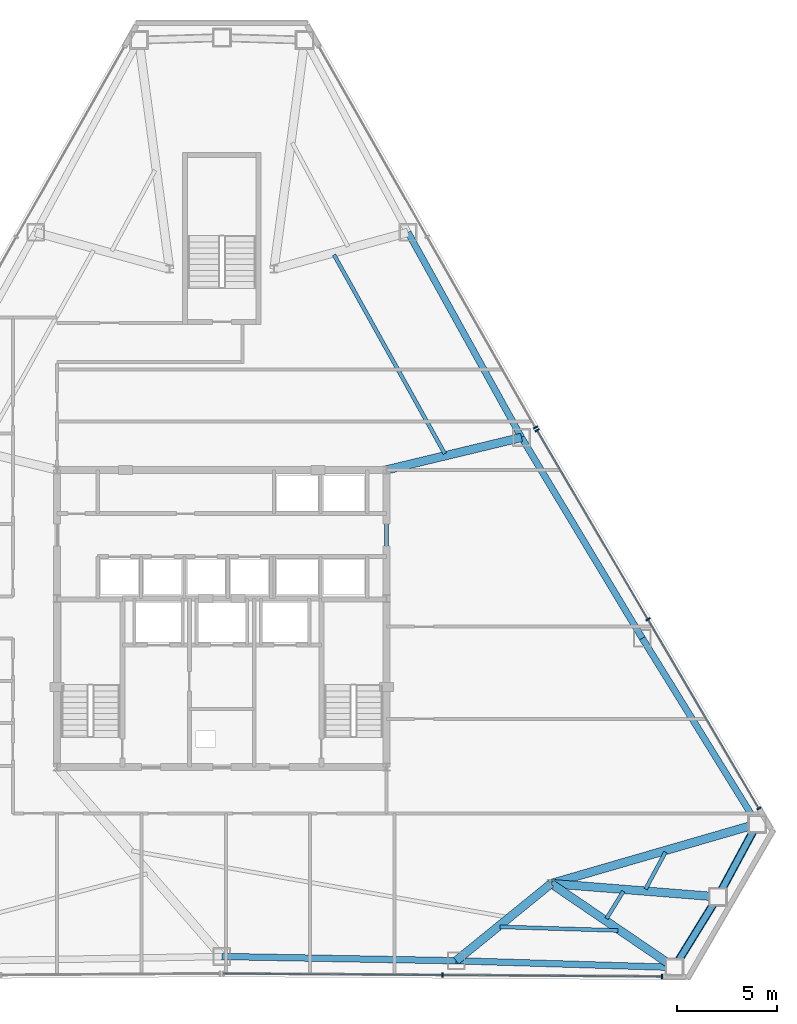
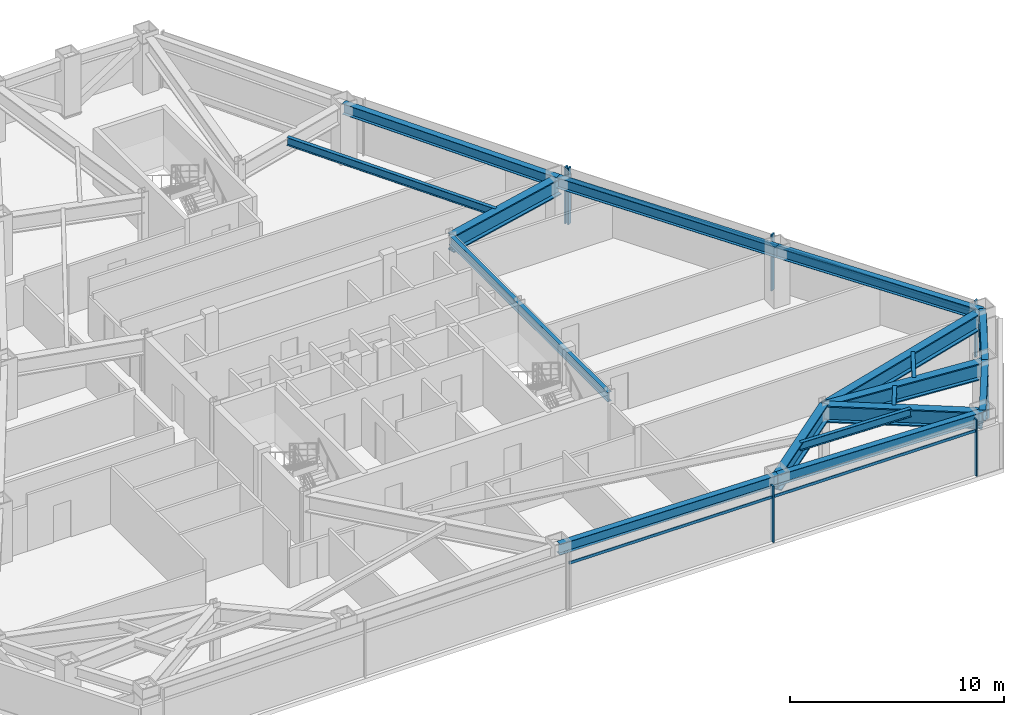
# One storey, part 6 of 12: 17 beams, 10 members, 3 elements without a shape of their own.
"""IFC4 building model written with IfcOpenShell, lengths in metres."""

from ifc_helpers import new_model, si_unit, direction, frame, origin, origin_2d, place, context, subcontext, project, spatial, rectangle, hollow_rectangle, i_section, extrude, source, transform, mapped, material, layer, layer_set, material_profile, profile_set, type_object, type_shapes, element, aggregate, save


model = new_model("IFC4")

# Units and contexts
model_context = context("Model", 3, precision=1e-05, world=origin(), true_north=direction((0.0, 1.0)))
body_context = subcontext(model_context, "Body", "Model", "MODEL_VIEW")
ifc_project = project(units=[si_unit("LENGTHUNIT", "METRE"), si_unit("AREAUNIT", "SQUARE_METRE"), si_unit("VOLUMEUNIT", "CUBIC_METRE"), si_unit("PLANEANGLEUNIT", "RADIAN"), si_unit("MASSUNIT", "GRAM", prefix="KILO")], contexts=[model_context])

# Site, building, storey
site_placement = place(None, origin())
site = spatial("IfcSite", under=ifc_project, at=site_placement, CompositionType="ELEMENT")
building_placement = place(site_placement, origin())
building = spatial("IfcBuilding", under=site, at=building_placement, Name="Varakhsha Concourse Tower", CompositionType="ELEMENT")
storey_placement = place(building_placement, frame((0.0, 0.0, 129.800048828125)))
storey = spatial("IfcBuildingStorey", under=building, at=storey_placement, Name="L37", CompositionType="ELEMENT", Elevation=129.800048828125)

# Beams
ifc_material_1 = material(Name="Structural Steel ASTM A992 Grade 50", Category="steel")
ifc_material_profile_1 = material_profile(ifc_material_1, i_section(OverallWidth=0.19091796875, OverallDepth=0.45703125, WebThickness=0.009033203125, FlangeThickness=0.013916015625, at=origin_2d()), Name="W18X50")
ifc_profile_set_1 = profile_set([ifc_material_profile_1], Name="Structural Steel ASTM A992 Grade 50")
beam_type_1 = type_object("IfcBeamType", Name="BM-JST-W18X50", PredefinedType="JOIST", material=ifc_profile_set_1)
beam_1_placement = place(storey_placement, frame((53.86083984375, 8.44580078125, 2.9814453125), z_axis=(0.999532008053, -0.03059027423, 0.0), x_axis=(0.03059027423, 0.999532008053, 0.0)))
element("IfcBeam", 1, at=beam_1_placement, inside=storey, type_object=beam_type_1, Name="BM-TJST-L37-12", PredefinedType="JOIST", context=body_context, shape_type="SweptSolid", body=[
    extrude(i_section(OverallWidth=0.19091796875, OverallDepth=0.45703125, WebThickness=0.009033203125, FlangeThickness=0.013916015625, at=origin_2d()), origin(), (0.0, 0.0, 1.0), 5.865966796875),
])
beam_2_placement = place(storey_placement, frame((59.156005859375, 8.857421875, 2.9814453125), z_axis=(0.525274673375, 0.850932733834, 0.0), x_axis=(-0.850932733834, 0.525274673375, 0.0)))
element("IfcBeam", 2, at=beam_2_placement, inside=storey, type_object=beam_type_1, Name="BM-TJST-L37-13", PredefinedType="JOIST", context=body_context, shape_type="SweptSolid", body=[
    extrude(i_section(OverallWidth=0.19091796875, OverallDepth=0.45703125, WebThickness=0.009033203125, FlangeThickness=0.013916015625, at=origin_2d()), origin(), (0.0, 0.0, 1.0), 1.59619140625),
])
beam_3_placement = place(storey_placement, frame((61.100341796875, 10.326904296875, 2.9814453125), z_axis=(0.474273837801, 0.880377377479, 0.0), x_axis=(-0.880377377479, 0.474273837801, 0.0)))
element("IfcBeam", 3, at=beam_3_placement, inside=storey, type_object=beam_type_1, Name="BM-TJST-L37-14", PredefinedType="JOIST", context=body_context, shape_type="SweptSolid", body=[
    extrude(i_section(OverallWidth=0.19091796875, OverallDepth=0.45703125, WebThickness=0.009033203125, FlangeThickness=0.013916015625, at=origin_2d()), origin(), (0.0, 0.0, 1.0), 2.091552734375),
])
beam_4_placement = place(storey_placement, frame((51.10400390625, 32.006591796875, 2.9814453125), z_axis=(-0.4866796138, 0.873580536363, 0.0), x_axis=(-0.873580536363, -0.4866796138, 0.0)))
element("IfcBeam", 4, at=beam_4_placement, inside=storey, type_object=beam_type_1, Name="BM-TJST-L37-17", PredefinedType="JOIST", context=body_context, shape_type="SweptSolid", body=[
    extrude(i_section(OverallWidth=0.19091796875, OverallDepth=0.45703125, WebThickness=0.009033203125, FlangeThickness=0.013916015625, at=origin_2d()), origin(), (0.0, 0.0, 1.0), 11.333740234375),
])
ifc_material_profile_2 = material_profile(ifc_material_1, i_section(OverallWidth=0.423095703125, OverallDepth=0.947998046875, WebThickness=0.0380859375, FlangeThickness=0.06396484375, at=origin_2d()), Name="W36X302")
ifc_profile_set_2 = profile_set([ifc_material_profile_2], Name="Structural Steel ASTM A992 Grade 50")
beam_type_2 = type_object("IfcBeamType", Name="BM-OUTR-W36X302", PredefinedType="USERDEFINED", material=ifc_profile_set_2)
beam_5_placement = place(storey_placement, frame((56.39990234375, 10.60009765625, 2.73583984375), z_axis=(-0.776310048097, -0.630351258604, 0.0), x_axis=(0.630351258604, -0.776310048097, 0.0)))
element("IfcBeam", 5, at=beam_5_placement, inside=storey, type_object=beam_type_2, Name="L37 Radial Floor Girder 12", ObjectType="GIRDER", PredefinedType="USERDEFINED", context=body_context, shape_type="SweptSolid", body=[
    extrude(i_section(OverallWidth=0.423095703125, OverallDepth=0.947998046875, WebThickness=0.0380859375, FlangeThickness=0.06396484375, at=origin_2d()), origin(), (0.0, 0.0, 1.0), 6.093505859375),
])
beam_6_placement = place(storey_placement, frame((56.39990234375, 10.60009765625, 2.73583984375), z_axis=(0.826715856681, -0.562619669325, 0.0), x_axis=(0.562619669325, 0.826715856681, 0.0)))
element("IfcBeam", 6, at=beam_6_placement, inside=storey, type_object=beam_type_2, Name="L37 Radial Floor Girder 13", ObjectType="GIRDER", PredefinedType="USERDEFINED", context=body_context, shape_type="SweptSolid", body=[
    extrude(i_section(OverallWidth=0.423095703125, OverallDepth=0.947998046875, WebThickness=0.0380859375, FlangeThickness=0.06396484375, at=origin_2d()), origin(), (0.0, 0.0, 1.0), 7.417724609375),
])
beam_7_placement = place(storey_placement, frame((56.39990234375, 10.60009765625, 2.73583984375), z_axis=(0.996845319741, -0.079368813216, 0.0), x_axis=(0.079368813216, 0.996845319741, 0.0)))
element("IfcBeam", 7, at=beam_7_placement, inside=storey, type_object=beam_type_2, Name="L37 Radial Floor Girder 14", ObjectType="GIRDER", PredefinedType="USERDEFINED", context=body_context, shape_type="SweptSolid", body=[
    extrude(i_section(OverallWidth=0.423095703125, OverallDepth=0.947998046875, WebThickness=0.0380859375, FlangeThickness=0.06396484375, at=origin_2d()), origin(), (0.0, 0.0, 1.0), 8.326904296875),
])
beam_8_placement = place(storey_placement, frame((56.39990234375, 10.60009765625, 2.73583984375), z_axis=(0.960479386688, 0.27835112313, 0.0), x_axis=(-0.27835112313, 0.960479386688, 0.0)))
element("IfcBeam", 8, at=beam_8_placement, inside=storey, type_object=beam_type_2, Name="L37 Radial Floor Girder 15", ObjectType="GIRDER", PredefinedType="USERDEFINED", context=body_context, shape_type="SweptSolid", body=[
    extrude(i_section(OverallWidth=0.423095703125, OverallDepth=0.947998046875, WebThickness=0.0380859375, FlangeThickness=0.06396484375, at=origin_2d()), origin(), (0.0, 0.0, 1.0), 10.680419921875),
])
beam_9_placement = place(storey_placement, frame((48.199951171875, 31.199951171875, 2.73583984375), z_axis=(0.972326679088, 0.233625403442, 0.0), x_axis=(-0.233625403442, 0.972326679088, 0.0)))
element("IfcBeam", 9, at=beam_9_placement, inside=storey, type_object=beam_type_2, Name="L37 Radial Floor Girder 17", ObjectType="GIRDER", PredefinedType="USERDEFINED", context=body_context, shape_type="SweptSolid", body=[
    extrude(i_section(OverallWidth=0.423095703125, OverallDepth=0.947998046875, WebThickness=0.0380859375, FlangeThickness=0.06396484375, at=origin_2d()), origin(), (0.0, 0.0, 1.0), 6.912841796875),
])
ifc_material_profile_3 = material_profile(ifc_material_1, i_section(OverallWidth=0.2109375, OverallDepth=0.5390625, WebThickness=0.011962890625, FlangeThickness=0.01904296875, at=origin_2d()), Name="W21X73")
ifc_profile_set_3 = profile_set([ifc_material_profile_3], Name="Structural Steel ASTM A992 Grade 50")
beam_type_3 = type_object("IfcBeamType", Name="BM-RAD-W21X73", PredefinedType="BEAM", material=ifc_profile_set_3)
beam_10_placement = place(storey_placement, frame((48.199951171875, 16.39990234375, 2.9404296875), z_axis=(0.0, 1.0, 0.0), x_axis=(-1.0, 0.0, 0.0)))
element("IfcBeam", 10, at=beam_10_placement, inside=storey, type_object=beam_type_3, Name="BM-TCORE-L37-CE", PredefinedType="BEAM", context=body_context, shape_type="SweptSolid", body=[
    extrude(i_section(OverallWidth=0.2109375, OverallDepth=0.5390625, WebThickness=0.011962890625, FlangeThickness=0.01904296875, at=origin_2d()), origin(), (0.0, 0.0, 1.0), 14.800048828125),
])
ifc_material_profile_4 = material_profile(ifc_material_1, i_section(OverallWidth=0.323974609375, OverallDepth=0.611083984375, WebThickness=0.012939453125, FlangeThickness=0.01904296875, at=origin_2d()), Name="W24X104")
ifc_profile_set_4 = profile_set([ifc_material_profile_4], Name="Structural Steel ASTM A992 Grade 50")
beam_type_4 = type_object("IfcBeamType", Name="BM-SPAN-W24X104", PredefinedType="SPANDREL", material=ifc_profile_set_4)
beam_11_placement = place(storey_placement, frame((40.0, 6.97021484375, 2.904541015625), z_axis=(0.99983628966, -0.018094028841, 0.0), x_axis=(0.018094028841, 0.99983628966, 0.0)))
element("IfcBeam", 11, at=beam_11_placement, inside=storey, type_object=beam_type_4, Name="BM-SPAN-L37-11", PredefinedType="SPANDREL", context=body_context, shape_type="SweptSolid", body=[
    extrude(i_section(OverallWidth=0.323974609375, OverallDepth=0.611083984375, WebThickness=0.012939453125, FlangeThickness=0.01904296875, at=origin_2d()), origin(), (0.0, 0.0, 1.0), 11.67138671875),
])
beam_12_placement = place(storey_placement, frame((51.66943359375, 6.759033203125, 2.904541015625), z_axis=(0.999532503113, -0.030574093962, 0.0), x_axis=(0.030574093962, 0.999532503113, 0.0)))
element("IfcBeam", 12, at=beam_12_placement, inside=storey, type_object=beam_type_4, Name="BM-SPAN-L37-12", PredefinedType="SPANDREL", context=body_context, shape_type="SweptSolid", body=[
    extrude(i_section(OverallWidth=0.323974609375, OverallDepth=0.611083984375, WebThickness=0.012939453125, FlangeThickness=0.01904296875, at=origin_2d()), origin(), (0.0, 0.0, 1.0), 10.867919921875),
])
for number, where, z_axis, x_axis, name in (
    (13, (62.5322265625, 6.4267578125, 2.904541015625), (0.525275019808, 0.850932519984, 0.0), (-0.850932519984, 0.525275019808, 0.0), "BM-SPAN-L37-13"),
    (14, (64.700439453125, 9.939208984375, 2.904541015625), (0.474307913121, 0.880359019691, 0.0), (-0.880359019691, 0.474307913121, 0.0), "BM-SPAN-L37-14"),
):
    element("IfcBeam", number, at=place(storey_placement, frame(where, z_axis=z_axis, x_axis=x_axis)), inside=storey, type_object=beam_type_4, Name=name, PredefinedType="SPANDREL", context=body_context, shape_type="SweptSolid", body=[
        extrude(i_section(OverallWidth=0.323974609375, OverallDepth=0.611083984375, WebThickness=0.012939453125, FlangeThickness=0.01904296875, at=origin_2d()), origin(), (0.0, 0.0, 1.0), 4.127685546875),
    ])
beam_13_placement = place(storey_placement, frame((66.658203125, 13.572998046875, 2.904541015625), z_axis=(-0.526244020502, 0.850333599763, 0.0), x_axis=(-0.850333599763, -0.526244020502, 0.0)))
element("IfcBeam", 15, at=beam_13_placement, inside=storey, type_object=beam_type_4, Name="BM-SPAN-L37-15", PredefinedType="SPANDREL", context=body_context, shape_type="SweptSolid", body=[
    extrude(i_section(OverallWidth=0.323974609375, OverallDepth=0.611083984375, WebThickness=0.012939453125, FlangeThickness=0.01904296875, at=origin_2d()), origin(), (0.0, 0.0, 1.0), 10.867919921875),
])
beam_14_placement = place(storey_placement, frame((60.93896484375, 22.814453125, 2.904541015625), z_axis=(-0.515584301613, 0.856838857622, 0.0), x_axis=(-0.856838857622, -0.515584301613, 0.0)))
element("IfcBeam", 16, at=beam_14_placement, inside=storey, type_object=beam_type_4, Name="BM-SPAN-L37-16", PredefinedType="SPANDREL", context=body_context, shape_type="SweptSolid", body=[
    extrude(i_section(OverallWidth=0.323974609375, OverallDepth=0.611083984375, WebThickness=0.012939453125, FlangeThickness=0.01904296875, at=origin_2d()), origin(), (0.0, 0.0, 1.0), 11.67138671875),
])
beam_15_placement = place(storey_placement, frame((54.92138671875, 32.81494140625, 2.904541015625), z_axis=(-0.484256982071, 0.874925811321, 0.0), x_axis=(-0.874925811321, -0.484256982071, 0.0)))
element("IfcBeam", 17, at=beam_15_placement, inside=storey, type_object=beam_type_4, Name="BM-SPAN-L37-17", PredefinedType="SPANDREL", context=body_context, shape_type="SweptSolid", body=[
    extrude(i_section(OverallWidth=0.323974609375, OverallDepth=0.611083984375, WebThickness=0.012939453125, FlangeThickness=0.01904296875, at=origin_2d()), origin(), (0.0, 0.0, 1.0), 11.671142578125),
])

# Members
ifc_material_2 = material(Name="Structural Steel ASTM A500 Grade C", Category="steel")
ifc_material_profile_5 = material_profile(ifc_material_2, hollow_rectangle(XDim=0.39990234375, YDim=0.39990234375, WallThickness=0.01611328125, at=origin_2d()), Name="HSS 400x400x16")
ifc_profile_set_5 = profile_set([ifc_material_profile_5], Name="Structural Steel ASTM A500 Grade C")
member_type_1 = type_object("IfcMemberType", Name="MB-TUBE-HSS400", PredefinedType="BRACE", material=ifc_profile_set_5)
shared_shape_1 = source(origin(), body_context, "Body", "SweptSolid", [
    extrude(hollow_rectangle(XDim=0.39990234375, YDim=0.39990234375, WallThickness=0.01611328125, at=origin_2d()), origin(), (0.0, 0.0, 1.0), 4.982177734375),
])
type_shapes(member_type_1, [shared_shape_1])
for number, where, z_axis, x_axis, name in (
    (18, (64.700439453125, 9.939208984375, 0.119873046875), (-0.435187815597, -0.7049934808, 0.55999621176), (0.850932519984, -0.525275019808, 0.0), "L37 Wind-Corner Tube Brace B05"),
    (19, (64.700439453125, 9.939208984375, 0.119873046875), (0.392957478485, 0.729365146498, 0.560009734895), (-0.880359019691, 0.474307913121, 0.0), "L37 Wind-Corner Tube Brace B06"),
):
    element("IfcMember", number, at=place(storey_placement, frame(where, z_axis=z_axis, x_axis=x_axis)), inside=storey, type_object=member_type_1, Name=name, PredefinedType="BRACE", context=body_context, shape_type="MappedRepresentation", body=[
        mapped(shared_shape_1, transform((0.0, 0.0, 0.0), scale=1.0)),
    ])

# Curtain wall, members
ifc_material_3 = material(Name="Anodised Bronze Architectural Aluminium AA 6063-T6", Category="aluminium")
ifc_layer = layer(ifc_material_3, 0.2099609375, Name="CW-SYS-04")
ifc_layer_set = layer_set([ifc_layer], Name="Anodised Bronze Architectural Aluminium AA 6063-T6")
curtain_wall_type = type_object("IfcCurtainWallType", Name="CW-SYS-04", PredefinedType="NOTDEFINED", material=ifc_layer_set)
curtain_wall_1_placement = place(storey_placement, origin())
curtain_wall_1 = element("IfcCurtainWall", 20, at=curtain_wall_1_placement, inside=storey, type_object=curtain_wall_type, Name="L37 Crystal Curtain Wall F6", PredefinedType="NOTDEFINED")
ifc_material_profile_6 = material_profile(ifc_material_3, rectangle(XDim=0.074951171875, YDim=0.219970703125, at=origin_2d()), Name="CWM-220X75")
ifc_profile_set_6 = profile_set([ifc_material_profile_6], Name="Anodised Bronze Architectural Aluminium AA 6063-T6")
member_type_2 = type_object("IfcMemberType", Name="CWM-220X75", PredefinedType="MULLION", material=ifc_profile_set_6)
shared_shape_2 = source(origin(), body_context, "Body", "SweptSolid", [
    extrude(rectangle(XDim=0.074951171875, YDim=0.219970703125, at=origin_2d()), origin(), (0.0, 0.0, 1.0), 3.2099609375),
])
type_shapes(member_type_2, [shared_shape_2])
member_1_placement = place(storey_placement, frame((61.907958984375, 5.969482421875, 0.0), z_axis=(0.0, 0.0, 1.0), x_axis=(-0.999976976275, 0.006785788053, 0.0)))
member_1 = element("IfcMember", 21, at=member_1_placement, type_object=member_type_2, Name="CW-L37-F6 Mullion 00", PredefinedType="MULLION", context=body_context, shape_type="MappedRepresentation", body=[
    mapped(shared_shape_2, transform((0.0, 0.0, 0.0), scale=1.0)),
])
member_2_placement = place(storey_placement, frame((50.994384765625, 6.043701171875, 0.0), z_axis=(0.0, 0.0, 1.0), x_axis=(-0.999976976275, 0.006785788053, 0.0)))
member_2 = element("IfcMember", 22, at=member_2_placement, type_object=member_type_2, Name="CW-L37-F6 Mullion 01", PredefinedType="MULLION", context=body_context, shape_type="MappedRepresentation", body=[
    mapped(shared_shape_2, transform((0.0, 0.0, 0.0), scale=1.0)),
])

curtain_wall_2_placement = place(storey_placement, origin())
curtain_wall_2 = element("IfcCurtainWall", 23, at=curtain_wall_2_placement, inside=storey, type_object=curtain_wall_type, Name="L37 Crystal Curtain Wall F8", PredefinedType="NOTDEFINED")
member_3_placement = place(storey_placement, frame((55.7001953125, 33.1708984375, 0.0), z_axis=(0.0, 0.0, 1.0), x_axis=(0.505862141887, -0.862614336424, 0.0)))
member_3 = element("IfcMember", 24, at=member_3_placement, type_object=member_type_2, Name="CW-L37-F8 Mullion 00", PredefinedType="MULLION", context=body_context, shape_type="MappedRepresentation", body=[
    mapped(shared_shape_2, transform((0.0, 0.0, 0.0), scale=1.0)),
])
member_4_placement = place(storey_placement, frame((61.22119140625, 23.756591796875, 0.0), z_axis=(0.0, 0.0, 1.0), x_axis=(0.505862141887, -0.862614336424, 0.0)))
member_4 = element("IfcMember", 25, at=member_4_placement, type_object=member_type_2, Name="CW-L37-F8 Mullion 01", PredefinedType="MULLION", context=body_context, shape_type="MappedRepresentation", body=[
    mapped(shared_shape_2, transform((0.0, 0.0, 0.0), scale=1.0)),
])
member_5_placement = place(storey_placement, frame((66.741943359375, 14.34228515625, 0.0), z_axis=(0.0, 0.0, 1.0), x_axis=(0.505862141887, -0.862614336424, 0.0)))
member_5 = element("IfcMember", 26, at=member_5_placement, type_object=member_type_2, Name="CW-L37-F8 Mullion 02", PredefinedType="MULLION", context=body_context, shape_type="MappedRepresentation", body=[
    mapped(shared_shape_2, transform((0.0, 0.0, 0.0), scale=1.0)),
])

# Curtain wall, member
curtain_wall_3_placement = place(storey_placement, origin())
curtain_wall_3 = element("IfcCurtainWall", 27, at=curtain_wall_3_placement, inside=storey, type_object=curtain_wall_type, Name="L37 Crystal Curtain Wall F9", PredefinedType="NOTDEFINED")
member_6_placement = place(storey_placement, frame((55.619140625, 33.311279296875, 0.0), z_axis=(0.0, 0.0, 1.0), x_axis=(0.494114858069, -0.8693966339, 0.0)))
member_6 = element("IfcMember", 28, at=member_6_placement, type_object=member_type_2, Name="CW-L37-F9 Mullion 02", PredefinedType="MULLION", context=body_context, shape_type="MappedRepresentation", body=[
    mapped(shared_shape_2, transform((0.0, 0.0, 0.0), scale=1.0)),
])
aggregate(curtain_wall_3, [member_6])

# Member
ifc_material_profile_7 = material_profile(ifc_material_3, rectangle(XDim=0.06494140625, YDim=0.159912109375, at=origin_2d()), Name="CWT-160X65")
ifc_profile_set_7 = profile_set([ifc_material_profile_7], Name="Anodised Bronze Architectural Aluminium AA 6063-T6")
member_type_3 = type_object("IfcMemberType", Name="CWT-160X65", PredefinedType="USERDEFINED", material=ifc_profile_set_7)
shared_shape_3 = source(origin(), body_context, "Body", "SweptSolid", [
    extrude(rectangle(XDim=0.06494140625, YDim=0.159912109375, at=origin_2d()), origin(), (0.0, 0.0, 1.0), 21.827392578125),
])
type_shapes(member_type_3, [shared_shape_3])
member_7_placement = place(storey_placement, frame((61.907958984375, 5.969482421875, 2.56005859375), z_axis=(-0.999976952268, 0.006789324855, 0.0), x_axis=(-0.006789324855, -0.999976952268, 0.0)))
member_7 = element("IfcMember", 29, at=member_7_placement, type_object=member_type_3, Name="CW-L37-F6 Transom 01", ObjectType="TRANSOM", PredefinedType="USERDEFINED", context=body_context, shape_type="MappedRepresentation", body=[
    mapped(shared_shape_3, transform((0.0, 0.0, 0.0), scale=1.0)),
])

aggregate(curtain_wall_1, [member_1, member_2, member_7])

member_8_placement = place(storey_placement, frame((55.7001953125, 33.1708984375, 2.56005859375), z_axis=(0.505865600698, -0.862612308068, 0.0), x_axis=(0.862612308068, 0.505865600698, 0.0)))
member_8 = element("IfcMember", 30, at=member_8_placement, type_object=member_type_3, Name="CW-L37-F8 Transom 01", ObjectType="TRANSOM", PredefinedType="USERDEFINED", context=body_context, shape_type="MappedRepresentation", body=[
    mapped(shared_shape_3, transform((0.0, 0.0, 0.0), scale=1.0)),
])

aggregate(curtain_wall_2, [member_3, member_4, member_5, member_8])

save(model, "model.ifc")
